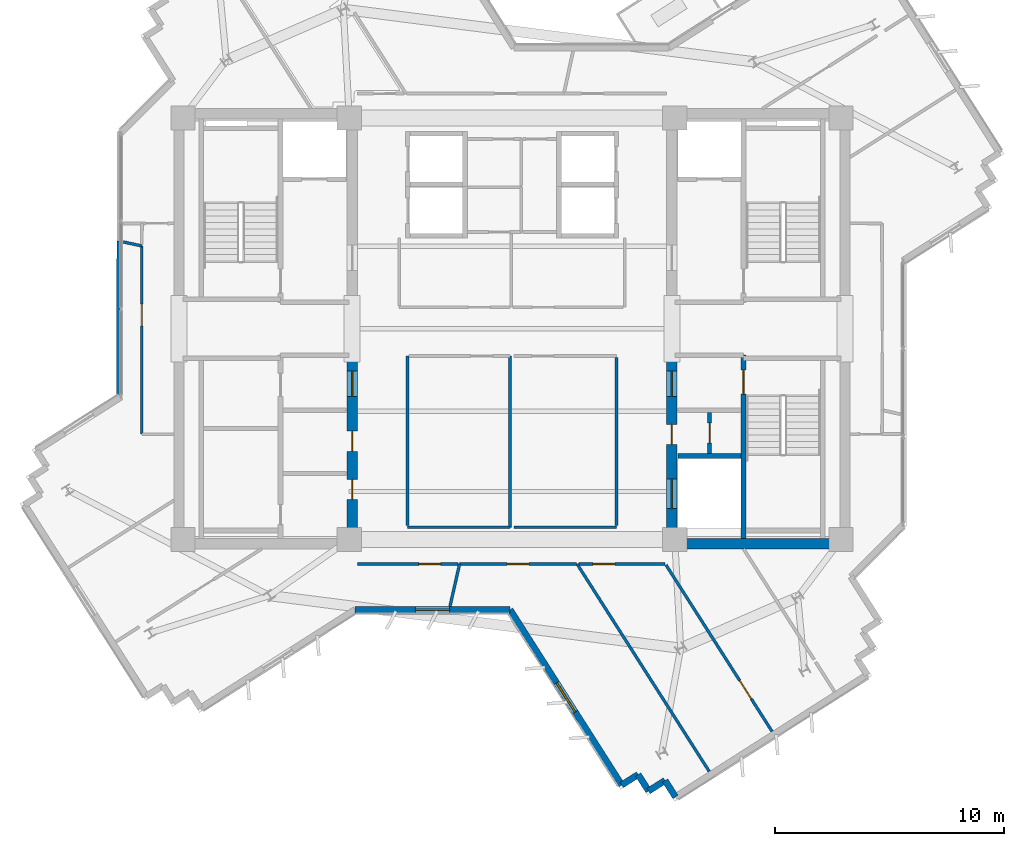
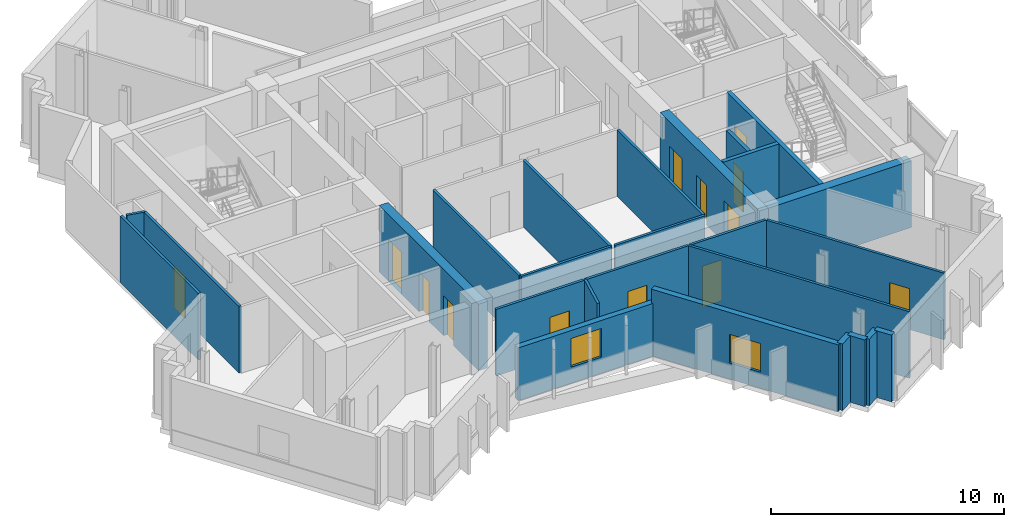
# One storey, part 5 of 12: 26 walls, 13 doors, 2 windows, 15 openings.
"""IFC4 building model written with IfcOpenShell, lengths in metres."""

from ifc_helpers import new_model, si_unit, direction, frame, frame_2d, origin, place, context, subcontext, project, spatial, rectangle, extrude, source, transform, mapped, material, layer, layer_set, type_object, element, fill, save


model = new_model("IFC4")

# Units and contexts
model_context = context("Model", 3, precision=1e-05, world=origin(), true_north=direction((0.0, 1.0)))
body_context = subcontext(model_context, "Body", "Model", "MODEL_VIEW")
ifc_project = project(units=[si_unit("LENGTHUNIT", "METRE"), si_unit("AREAUNIT", "SQUARE_METRE"), si_unit("VOLUMEUNIT", "CUBIC_METRE"), si_unit("PLANEANGLEUNIT", "RADIAN"), si_unit("MASSUNIT", "GRAM", prefix="KILO")], contexts=[model_context])

# Site, building, storey
site_placement = place(None, origin())
site = spatial("IfcSite", under=ifc_project, at=site_placement, CompositionType="ELEMENT")
building_placement = place(site_placement, origin())
building = spatial("IfcBuilding", under=site, at=building_placement, Name="Zahravan Cultural Tower", CompositionType="ELEMENT")
storey_placement = place(building_placement, frame((0.0, 0.0, 261.60009765625)))
storey = spatial("IfcBuildingStorey", under=building, at=storey_placement, Name="L62", CompositionType="ELEMENT", Elevation=261.60009765625)

# Wall, openings, doors
ifc_material_1 = material(Name="Concrete C50/60", Category="concrete")
ifc_layer_1 = layer(ifc_material_1, 0.449951171875)
ifc_layer_set_1 = layer_set([ifc_layer_1], Name="Concrete C50/60")
wall_type_1 = type_object("IfcWallType", Name="CW-SHEAR-450-C50", PredefinedType="SHEAR", material=ifc_layer_set_1)
wall_1_placement = place(storey_placement, frame((29.02490234375, 17.39990234375, 0.0), z_axis=(0.0, 0.0, 1.0), x_axis=(0.0, 1.0, 0.0)))
wall_1 = element("IfcWall", 1, at=wall_1_placement, inside=storey, type_object=wall_type_1, Name="L62 Core Shear Wall CW-W-ES-L62", PredefinedType="SHEAR", context=body_context, shape_type="SweptSolid", body=[
    extrude(rectangle(XDim=8.550048828125, YDim=0.449951171875, at=frame_2d((4.27490234375, 0.0))), origin(), (0.0, 0.0, 1.0), 3.5),
])
opening_1_placement = place(wall_1_placement, frame((6.64990234375, 0.0, 0.0)))
opening_1 = element("IfcOpeningElement", 2, at=opening_1_placement, cuts=wall_1, Name="Opening D-L62-08", PredefinedType="OPENING", context=body_context, shape_type="SweptSolid", body=[
    extrude(rectangle(XDim=1.10009765625, YDim=2.199951171875, at=frame_2d((0.550048828125, 1.10009765625))), frame((0.0, 0.23486328125, 0.0), z_axis=(0.0, -1.0, 0.0), x_axis=(1.0, 0.0, 0.0)), (0.0, 0.0, 1.0), 0.469970703125),
])
opening_2_placement = place(wall_1_placement, frame((2.14990234375, 0.0, 0.0)))
opening_2 = element("IfcOpeningElement", 3, at=opening_2_placement, cuts=wall_1, Name="Opening D-L62-10", PredefinedType="OPENING", context=body_context, shape_type="SweptSolid", body=[
    extrude(rectangle(XDim=0.8798828125, YDim=2.10009765625, at=frame_2d((0.43994140625, 1.050048828125))), frame((0.0, 0.23486328125, 0.0), z_axis=(0.0, -1.0, 0.0), x_axis=(1.0, 0.0, 0.0)), (0.0, 0.0, 1.0), 0.469970703125),
])
opening_3_placement = place(wall_1_placement, frame((4.25, 0.0, 0.0)))
opening_3 = element("IfcOpeningElement", 4, at=opening_3_placement, cuts=wall_1, Name="Opening D-L62-11", PredefinedType="OPENING", context=body_context, shape_type="SweptSolid", body=[
    extrude(rectangle(XDim=0.8798828125, YDim=2.10009765625, at=frame_2d((0.43994140625, 1.050048828125))), frame((0.0, 0.23486328125, 0.0), z_axis=(0.0, -1.0, 0.0), x_axis=(1.0, 0.0, 0.0)), (0.0, 0.0, 1.0), 0.469970703125),
])
ifc_material_2 = material(Name="Steel ASTM A572 Grade 50", Category="steel")
door_type_1 = type_object("IfcDoorType", Name="DR-LOBBY-1100", OperationType="NOTDEFINED", PredefinedType="DOOR", material=ifc_material_2)
shared_shape_1 = source(origin(), body_context, "Body", "SweptSolid", [
    extrude(rectangle(XDim=1.10009765625, YDim=2.199951171875, at=frame_2d((0.550048828125, 1.10009765625))), frame((0.0, 0.02490234375, 0.0), z_axis=(0.0, -1.0, 0.0), x_axis=(1.0, 0.0, 0.0)), (0.0, 0.0, 1.0), 0.050048828125),
])
door_1_placement = place(opening_1_placement, origin())
door_1 = element("IfcDoor", 5, at=door_1_placement, inside=storey, type_object=door_type_1, Name="L62 Door D-L62-08", OperationType="SINGLE_SWING_RIGHT", OverallHeight=2.199951171875, OverallWidth=1.10009765625, PredefinedType="DOOR", context=body_context, shape_type="MappedRepresentation", body=[
    mapped(shared_shape_1, transform((0.0, 0.0, 0.0), x_axis=(1.0, 0.0, 0.0), y_axis=(0.0, 1.0, 0.0), z_axis=(0.0, 0.0, 1.0), scale=1.0)),
])
fill(opening_1, door_1)
door_type_2 = type_object("IfcDoorType", Name="DR-SVC-880", OperationType="NOTDEFINED", PredefinedType="DOOR", material=ifc_material_2)
shared_shape_2 = source(origin(), body_context, "Body", "SweptSolid", [
    extrude(rectangle(XDim=0.8798828125, YDim=2.10009765625, at=frame_2d((0.43994140625, 1.050048828125))), frame((0.0, 0.02490234375, 0.0), z_axis=(0.0, -1.0, 0.0), x_axis=(1.0, 0.0, 0.0)), (0.0, 0.0, 1.0), 0.050048828125),
])
door_2_placement = place(opening_2_placement, origin())
door_2 = element("IfcDoor", 6, at=door_2_placement, inside=storey, type_object=door_type_2, Name="L62 Door D-L62-10", OperationType="SINGLE_SWING_RIGHT", OverallHeight=2.10009765625, OverallWidth=0.8798828125, PredefinedType="DOOR", context=body_context, shape_type="MappedRepresentation", body=[
    mapped(shared_shape_2, transform((0.0, 0.0, 0.0), x_axis=(1.0, 0.0, 0.0), y_axis=(0.0, 1.0, 0.0), z_axis=(0.0, 0.0, 1.0), scale=1.0)),
])
fill(opening_2, door_2)
door_3_placement = place(opening_3_placement, origin())
door_3 = element("IfcDoor", 7, at=door_3_placement, inside=storey, type_object=door_type_2, Name="L62 Door D-L62-11", OperationType="SINGLE_SWING_LEFT", OverallHeight=2.10009765625, OverallWidth=0.8798828125, PredefinedType="DOOR", context=body_context, shape_type="MappedRepresentation", body=[
    mapped(shared_shape_2, transform((0.0, 0.0, 0.0), x_axis=(1.0, 0.0, 0.0), y_axis=(0.0, 1.0, 0.0), z_axis=(0.0, 0.0, 1.0), scale=1.0)),
])
fill(opening_3, door_3)

wall_2_placement = place(storey_placement, frame((42.97509765625, 17.39990234375, 0.0), z_axis=(0.0, 0.0, 1.0), x_axis=(0.0, 1.0, 0.0)))
wall_2 = element("IfcWall", 8, at=wall_2_placement, inside=storey, type_object=wall_type_1, Name="L62 Core Shear Wall CW-E-WS-L62", PredefinedType="SHEAR", context=body_context, shape_type="SweptSolid", body=[
    extrude(rectangle(XDim=8.550048828125, YDim=0.449951171875, at=frame_2d((4.27490234375, 0.0))), origin(), (0.0, 0.0, 1.0), 3.5),
])
opening_4_placement = place(wall_2_placement, frame((6.64990234375, 0.0, 0.0)))
opening_4 = element("IfcOpeningElement", 9, at=opening_4_placement, cuts=wall_2, Name="Opening D-L62-09", PredefinedType="OPENING", context=body_context, shape_type="SweptSolid", body=[
    extrude(rectangle(XDim=1.10009765625, YDim=2.199951171875, at=frame_2d((0.550048828125, 1.10009765625))), frame((0.0, 0.23486328125, 0.0), z_axis=(0.0, -1.0, 0.0), x_axis=(1.0, 0.0, 0.0)), (0.0, 0.0, 1.0), 0.469970703125),
])
opening_5_placement = place(wall_2_placement, frame((1.75, 0.0, 0.0)))
opening_5 = element("IfcOpeningElement", 10, at=opening_5_placement, cuts=wall_2, Name="Opening LD-L62-03", PredefinedType="OPENING", context=body_context, shape_type="SweptSolid", body=[
    extrude(rectangle(XDim=1.300048828125, YDim=2.199951171875, at=frame_2d((0.64990234375, 1.10009765625))), frame((0.0, 0.23486328125, 0.0), z_axis=(0.0, -1.0, 0.0), x_axis=(1.0, 0.0, 0.0)), (0.0, 0.0, 1.0), 0.469970703125),
])
opening_6_placement = place(wall_2_placement, frame((4.550048828125, 0.0, 0.0)))
opening_6 = element("IfcOpeningElement", 11, at=opening_6_placement, cuts=wall_2, Name="Opening D-L62-12", PredefinedType="OPENING", context=body_context, shape_type="SweptSolid", body=[
    extrude(rectangle(XDim=0.8798828125, YDim=2.10009765625, at=frame_2d((0.43994140625, 1.050048828125))), frame((0.0, 0.23486328125, 0.0), z_axis=(0.0, -1.0, 0.0), x_axis=(1.0, 0.0, 0.0)), (0.0, 0.0, 1.0), 0.469970703125),
])
door_4_placement = place(opening_4_placement, origin())
door_4 = element("IfcDoor", 12, at=door_4_placement, inside=storey, type_object=door_type_1, Name="L62 Door D-L62-09", OperationType="SINGLE_SWING_LEFT", OverallHeight=2.199951171875, OverallWidth=1.10009765625, PredefinedType="DOOR", context=body_context, shape_type="MappedRepresentation", body=[
    mapped(shared_shape_1, transform((0.0, 0.0, 0.0), x_axis=(1.0, 0.0, 0.0), y_axis=(0.0, 1.0, 0.0), z_axis=(0.0, 0.0, 1.0), scale=1.0)),
])
fill(opening_4, door_4)
door_type_3 = type_object("IfcDoorType", Name="DR-LIFT-1300", OperationType="DOUBLE_DOOR_SLIDING", PredefinedType="DOOR", material=ifc_material_2)
shared_shape_3 = source(origin(), body_context, "Body", "SweptSolid", [
    extrude(rectangle(XDim=1.300048828125, YDim=2.199951171875, at=frame_2d((0.64990234375, 1.10009765625))), frame((0.0, 0.02490234375, 0.0), z_axis=(0.0, -1.0, 0.0), x_axis=(1.0, 0.0, 0.0)), (0.0, 0.0, 1.0), 0.050048828125),
])
door_5_placement = place(opening_5_placement, origin())
door_5 = element("IfcDoor", 13, at=door_5_placement, inside=storey, type_object=door_type_3, Name="L62 Door LD-L62-03", OperationType="DOUBLE_DOOR_SLIDING", OverallHeight=2.199951171875, OverallWidth=1.300048828125, PredefinedType="DOOR", context=body_context, shape_type="MappedRepresentation", body=[
    mapped(shared_shape_3, transform((0.0, 0.0, 0.0), x_axis=(1.0, 0.0, 0.0), y_axis=(0.0, 1.0, 0.0), z_axis=(0.0, 0.0, 1.0), scale=1.0)),
])
fill(opening_5, door_5)
door_6_placement = place(opening_6_placement, origin())
door_6 = element("IfcDoor", 14, at=door_6_placement, inside=storey, type_object=door_type_2, Name="L62 Door D-L62-12", OperationType="SINGLE_SWING_RIGHT", OverallHeight=2.10009765625, OverallWidth=0.8798828125, PredefinedType="DOOR", context=body_context, shape_type="MappedRepresentation", body=[
    mapped(shared_shape_2, transform((0.0, 0.0, 0.0), x_axis=(1.0, 0.0, 0.0), y_axis=(0.0, 1.0, 0.0), z_axis=(0.0, 0.0, 1.0), scale=1.0)),
])
fill(opening_6, door_6)

# Wall, opening, window
ifc_material_3 = material(Name="Precast concrete C40/50", Category="concrete")
ifc_layer_2 = layer(ifc_material_3, 0.280029296875)
ifc_layer_set_2 = layer_set([ifc_layer_2], Name="Precast concrete C40/50")
wall_type_2 = type_object("IfcWallType", Name="EW-TC-280", PredefinedType="SOLIDWALL", material=ifc_layer_set_2)
wall_3_placement = place(storey_placement, frame((40.78515625, 7.093505859375, 0.0), z_axis=(0.0, 0.0, 1.0), x_axis=(-0.537298831286, 0.843391940855, 0.0)))
wall_3 = element("IfcWall", 15, at=wall_3_placement, inside=storey, type_object=wall_type_2, Name="L62 Exterior Masonry Frame Wall 23", PredefinedType="SOLIDWALL", context=body_context, shape_type="SweptSolid", body=[
    extrude(rectangle(XDim=9.06640625, YDim=0.280029296875, at=frame_2d((4.533203125, 0.0))), origin(), (0.0, 0.0, 1.0), 3.5),
])
opening_7_placement = place(wall_3_placement, frame((3.782958984375, 0.0, 0.85009765625)))
opening_7 = element("IfcOpeningElement", 16, at=opening_7_placement, cuts=wall_3, Name="Opening WN-03", PredefinedType="OPENING", context=body_context, shape_type="SweptSolid", body=[
    extrude(rectangle(XDim=1.5, YDim=1.5, at=frame_2d((0.75, 0.75))), frame((0.0, 0.14990234375, 0.0), z_axis=(0.0, -1.0, 0.0), x_axis=(1.0, 0.0, 0.0)), (0.0, 0.0, 1.0), 0.300048828125),
])
ifc_material_4 = material(Name="Low-E solar-control double glazing", Category="glass")
window_type = type_object("IfcWindowType", Name="WN-REC-1500X1500", PartitioningType="SINGLE_PANEL", PredefinedType="WINDOW", material=ifc_material_4)
shared_shape_4 = source(origin(), body_context, "Body", "SweptSolid", [
    extrude(rectangle(XDim=1.5, YDim=1.5, at=frame_2d((0.75, 0.75))), frame((0.0, 0.030029296875, 0.0), z_axis=(0.0, -1.0, 0.0), x_axis=(1.0, 0.0, 0.0)), (0.0, 0.0, 1.0), 0.06005859375),
])
window_1_placement = place(opening_7_placement, origin())
window_1 = element("IfcWindow", 17, at=window_1_placement, inside=storey, type_object=window_type, Name="L62 Recessed Solar Window 03", OverallHeight=1.5, OverallWidth=1.5, PartitioningType="SINGLE_PANEL", PredefinedType="WINDOW", context=body_context, shape_type="MappedRepresentation", body=[
    mapped(shared_shape_4, transform((0.0, 0.0, 0.0), x_axis=(1.0, 0.0, 0.0), y_axis=(0.0, 1.0, 0.0), z_axis=(0.0, 0.0, 1.0), scale=1.0)),
])
fill(opening_7, window_1)

wall_4_placement = place(storey_placement, frame((35.913818359375, 14.739990234375, 0.0), z_axis=(0.0, 0.0, 1.0), x_axis=(-1.0, 0.0, 0.0)))
wall_4 = element("IfcWall", 18, at=wall_4_placement, inside=storey, type_object=wall_type_2, Name="L62 Exterior Masonry Frame Wall 24", PredefinedType="SOLIDWALL", context=body_context, shape_type="SweptSolid", body=[
    extrude(rectangle(XDim=6.762939453125, YDim=0.280029296875, at=frame_2d((3.38134765625, 0.0))), origin(), (0.0, 0.0, 1.0), 2.77197265625),
])
opening_8_placement = place(wall_4_placement, frame((2.631103515625, 0.0, 0.85009765625)))
opening_8 = element("IfcOpeningElement", 19, at=opening_8_placement, cuts=wall_4, Name="Opening WN-03", PredefinedType="OPENING", context=body_context, shape_type="SweptSolid", body=[
    extrude(rectangle(XDim=1.5, YDim=1.5, at=frame_2d((0.75, 0.75))), frame((0.0, 0.14990234375, 0.0), z_axis=(0.0, -1.0, 0.0), x_axis=(1.0, 0.0, 0.0)), (0.0, 0.0, 1.0), 0.300048828125),
])
window_2_placement = place(opening_8_placement, origin())
window_2 = element("IfcWindow", 20, at=window_2_placement, inside=storey, type_object=window_type, Name="L62 Recessed Solar Window 04", OverallHeight=1.5, OverallWidth=1.5, PartitioningType="SINGLE_PANEL", PredefinedType="WINDOW", context=body_context, shape_type="MappedRepresentation", body=[
    mapped(shared_shape_4, transform((0.0, 0.0, 0.0), x_axis=(1.0, 0.0, 0.0), y_axis=(0.0, 1.0, 0.0), z_axis=(0.0, 0.0, 1.0), scale=1.0)),
])
fill(opening_8, window_2)

# Wall, opening, door
ifc_material_5 = material(Name="Gypsum plasterboard partition")
ifc_layer_3 = layer(ifc_material_5, 0.179931640625)
ifc_layer_set_3 = layer_set([ifc_layer_3], Name="Gypsum plasterboard partition")
wall_type_3 = type_object("IfcWallType", Name="W-COMP-180", PredefinedType="PARTITIONING", material=ifc_layer_set_3)
wall_5_placement = place(storey_placement, frame((44.6201171875, 21.550048828125, 0.0), z_axis=(0.0, 0.0, 1.0), x_axis=(0.0, 1.0, 0.0)))
wall_5 = element("IfcWall", 21, at=wall_5_placement, inside=storey, type_object=wall_type_3, Name="L62 Interior Wall 028", PredefinedType="PARTITIONING", context=body_context, shape_type="SweptSolid", body=[
    extrude(rectangle(XDim=1.800048828125, YDim=0.179931640625, at=frame_2d((0.89990234375, 0.0))), origin(), (0.0, 0.0, 1.0), 3.5),
])
opening_9_placement = place(wall_5_placement, frame((0.4599609375, 0.0, 0.0)))
opening_9 = element("IfcOpeningElement", 22, at=opening_9_placement, cuts=wall_5, Name="Opening D-L62-13", PredefinedType="OPENING", context=body_context, shape_type="SweptSolid", body=[
    extrude(rectangle(XDim=0.8798828125, YDim=2.10009765625, at=frame_2d((0.43994140625, 1.050048828125))), frame((0.0, 0.099853515625, 0.0), z_axis=(0.0, -1.0, 0.0), x_axis=(1.0, 0.0, 0.0)), (0.0, 0.0, 1.0), 0.199951171875),
])
door_7_placement = place(opening_9_placement, origin())
door_7 = element("IfcDoor", 23, at=door_7_placement, inside=storey, type_object=door_type_2, Name="L62 Door D-L62-13", OperationType="SINGLE_SWING_LEFT", OverallHeight=2.10009765625, OverallWidth=0.8798828125, PredefinedType="DOOR", context=body_context, shape_type="MappedRepresentation", body=[
    mapped(shared_shape_2, transform((0.0, 0.0, 0.0), x_axis=(1.0, 0.0, 0.0), y_axis=(0.0, 1.0, 0.0), z_axis=(0.0, 0.0, 1.0), scale=1.0)),
])
fill(opening_9, door_7)

ifc_layer_4 = layer(ifc_material_5, 0.125)
ifc_layer_set_4 = layer_set([ifc_layer_4], Name="Gypsum plasterboard partition")
wall_type_4 = type_object("IfcWallType", Name="W-PART-125", PredefinedType="PARTITIONING", material=ifc_layer_set_4)
wall_6_placement = place(storey_placement, frame((47.347412109375, 9.430419921875, 0.0), z_axis=(0.0, 0.0, 1.0), x_axis=(-0.537311775461, 0.843383694383, 0.0)))
wall_6 = element("IfcWall", 24, at=wall_6_placement, inside=storey, type_object=wall_type_4, Name="L62 Interior Wall 061", PredefinedType="PARTITIONING", context=body_context, shape_type="SweptSolid", body=[
    extrude(rectangle(XDim=8.6162109375, YDim=0.125, at=frame_2d((4.30810546875, 0.0))), origin(), (0.0, 0.0, 1.0), 3.5),
])
opening_10_placement = place(wall_6_placement, frame((1.6865234375, 0.0, 0.0)))
opening_10 = element("IfcOpeningElement", 25, at=opening_10_placement, cuts=wall_6, Name="Opening D-L62-33", PredefinedType="OPENING", context=body_context, shape_type="SweptSolid", body=[
    extrude(rectangle(XDim=0.949951171875, YDim=2.14990234375, at=frame_2d((0.47509765625, 1.074951171875))), frame((0.0, 0.072509765625, 0.0), z_axis=(0.0, -1.0, 0.0), x_axis=(1.0, 0.0, 0.0)), (0.0, 0.0, 1.0), 0.14501953125),
])
ifc_material_6 = material(Name="Anodised bronze-aluminium mullion", Category="aluminium")
door_type_4 = type_object("IfcDoorType", Name="DR-ROOM-950", OperationType="NOTDEFINED", PredefinedType="DOOR", material=ifc_material_6)
shared_shape_5 = source(origin(), body_context, "Body", "SweptSolid", [
    extrude(rectangle(XDim=0.949951171875, YDim=2.14990234375, at=frame_2d((0.47509765625, 1.074951171875))), frame((0.0, 0.02490234375, 0.0), z_axis=(0.0, -1.0, 0.0), x_axis=(1.0, 0.0, 0.0)), (0.0, 0.0, 1.0), 0.050048828125),
])
door_8_placement = place(opening_10_placement, origin())
door_8 = element("IfcDoor", 26, at=door_8_placement, inside=storey, type_object=door_type_4, Name="L62 Door D-L62-33", OperationType="SINGLE_SWING_LEFT", OverallHeight=2.14990234375, OverallWidth=0.949951171875, PredefinedType="DOOR", context=body_context, shape_type="MappedRepresentation", body=[
    mapped(shared_shape_5, transform((0.0, 0.0, 0.0), x_axis=(1.0, 0.0, 0.0), y_axis=(0.0, 1.0, 0.0), z_axis=(0.0, 0.0, 1.0), scale=1.0)),
])
fill(opening_10, door_8)

wall_7_placement = place(storey_placement, frame((38.9169921875, 16.739990234375, 0.0), z_axis=(0.0, 0.0, 1.0), x_axis=(1.0, 0.0, 0.0)))
wall_7 = element("IfcWall", 27, at=wall_7_placement, inside=storey, type_object=wall_type_4, Name="L62 Interior Wall 065", PredefinedType="PARTITIONING", context=body_context, shape_type="SweptSolid", body=[
    extrude(rectangle(XDim=3.749755859375, YDim=0.125, at=frame_2d((1.875, 0.0))), origin(), (0.0, 0.0, 1.0), 3.5),
])
opening_11_placement = place(wall_7_placement, frame((0.615966796875, 0.0, 0.0)))
opening_11 = element("IfcOpeningElement", 28, at=opening_11_placement, cuts=wall_7, Name="Opening D-L62-28", PredefinedType="OPENING", context=body_context, shape_type="SweptSolid", body=[
    extrude(rectangle(XDim=0.949951171875, YDim=2.14990234375, at=frame_2d((0.47509765625, 1.074951171875))), frame((0.0, 0.072509765625, 0.0), z_axis=(0.0, -1.0, 0.0), x_axis=(1.0, 0.0, 0.0)), (0.0, 0.0, 1.0), 0.14501953125),
])
door_9_placement = place(opening_11_placement, origin())
door_9 = element("IfcDoor", 29, at=door_9_placement, inside=storey, type_object=door_type_4, Name="L62 Door D-L62-28", OperationType="SINGLE_SWING_RIGHT", OverallHeight=2.14990234375, OverallWidth=0.949951171875, PredefinedType="DOOR", context=body_context, shape_type="MappedRepresentation", body=[
    mapped(shared_shape_5, transform((0.0, 0.0, 0.0), x_axis=(1.0, 0.0, 0.0), y_axis=(0.0, 1.0, 0.0), z_axis=(0.0, 0.0, 1.0), scale=1.0)),
])
fill(opening_11, door_9)

wall_8_placement = place(storey_placement, frame((19.85009765625, 30.61279296875, 0.0), z_axis=(0.0, 0.0, 1.0), x_axis=(0.0, -1.0, 0.0)))
wall_8 = element("IfcWall", 30, at=wall_8_placement, inside=storey, type_object=wall_type_4, Name="L62 Interior Wall 081", PredefinedType="PARTITIONING", context=body_context, shape_type="SweptSolid", body=[
    extrude(rectangle(XDim=8.206787109375, YDim=0.125, at=frame_2d((4.103515625, 0.0))), origin(), (0.0, 0.0, 1.0), 3.5),
])
opening_12_placement = place(wall_8_placement, frame((2.5400390625, 0.0, 0.0)))
opening_12 = element("IfcOpeningElement", 31, at=opening_12_placement, cuts=wall_8, Name="Opening D-L62-25", PredefinedType="OPENING", context=body_context, shape_type="SweptSolid", body=[
    extrude(rectangle(XDim=0.949951171875, YDim=2.14990234375, at=frame_2d((0.47509765625, 1.074951171875))), frame((0.0, 0.072509765625, 0.0), z_axis=(0.0, -1.0, 0.0), x_axis=(1.0, 0.0, 0.0)), (0.0, 0.0, 1.0), 0.14501953125),
])
door_10_placement = place(opening_12_placement, origin())
door_10 = element("IfcDoor", 32, at=door_10_placement, inside=storey, type_object=door_type_4, Name="L62 Door D-L62-25", OperationType="SINGLE_SWING_LEFT", OverallHeight=2.14990234375, OverallWidth=0.949951171875, PredefinedType="DOOR", context=body_context, shape_type="MappedRepresentation", body=[
    mapped(shared_shape_5, transform((0.0, 0.0, 0.0), x_axis=(1.0, 0.0, 0.0), y_axis=(0.0, 1.0, 0.0), z_axis=(0.0, 0.0, 1.0), scale=1.0)),
])
fill(opening_12, door_10)

wall_9_placement = place(storey_placement, frame((33.714111328125, 16.739990234375, 0.0), z_axis=(0.0, 0.0, 1.0), x_axis=(1.0, 0.0, 0.0)))
wall_9 = element("IfcWall", 33, at=wall_9_placement, inside=storey, type_object=wall_type_4, Name="L62 Interior Wall 090", PredefinedType="PARTITIONING", context=body_context, shape_type="SweptSolid", body=[
    extrude(rectangle(XDim=5.09912109375, YDim=0.125, at=frame_2d((2.549560546875, 0.0))), origin(), (0.0, 0.0, 1.0), 3.5),
])
opening_13_placement = place(wall_9_placement, frame((2.07470703125, 0.0, 0.0)))
opening_13 = element("IfcOpeningElement", 34, at=opening_13_placement, cuts=wall_9, Name="Opening D-L62-27", PredefinedType="OPENING", context=body_context, shape_type="SweptSolid", body=[
    extrude(rectangle(XDim=0.949951171875, YDim=2.14990234375, at=frame_2d((0.47509765625, 1.074951171875))), frame((0.0, 0.072509765625, 0.0), z_axis=(0.0, -1.0, 0.0), x_axis=(1.0, 0.0, 0.0)), (0.0, 0.0, 1.0), 0.14501953125),
])
door_11_placement = place(opening_13_placement, origin())
door_11 = element("IfcDoor", 35, at=door_11_placement, inside=storey, type_object=door_type_4, Name="L62 Door D-L62-27", OperationType="SINGLE_SWING_LEFT", OverallHeight=2.14990234375, OverallWidth=0.949951171875, PredefinedType="DOOR", context=body_context, shape_type="MappedRepresentation", body=[
    mapped(shared_shape_5, transform((0.0, 0.0, 0.0), x_axis=(1.0, 0.0, 0.0), y_axis=(0.0, 1.0, 0.0), z_axis=(0.0, 0.0, 1.0), scale=1.0)),
])
fill(opening_13, door_11)

wall_10_placement = place(storey_placement, frame((29.257568359375, 16.740234375, 0.0), z_axis=(0.0, 0.0, 1.0), x_axis=(0.999999998452, -5.5645206e-05, 0.0)))
wall_10 = element("IfcWall", 36, at=wall_10_placement, inside=storey, type_object=wall_type_4, Name="L62 Interior Wall 094", PredefinedType="PARTITIONING", context=body_context, shape_type="SweptSolid", body=[
    extrude(rectangle(XDim=4.387451171875, YDim=0.125, at=frame_2d((2.19384765625, 0.0))), origin(), (0.0, 0.0, 1.0), 3.5),
])
opening_14_placement = place(wall_10_placement, frame((2.68115234375, 0.0, 0.0)))
opening_14 = element("IfcOpeningElement", 37, at=opening_14_placement, cuts=wall_10, Name="Opening D-L62-26", PredefinedType="OPENING", context=body_context, shape_type="SweptSolid", body=[
    extrude(rectangle(XDim=0.949951171875, YDim=2.14990234375, at=frame_2d((0.47509765625, 1.074951171875))), frame((0.0, 0.072509765625, 0.0), z_axis=(0.0, -1.0, 0.0), x_axis=(1.0, 0.0, 0.0)), (0.0, 0.0, 1.0), 0.14501953125),
])
door_12_placement = place(opening_14_placement, origin())
door_12 = element("IfcDoor", 38, at=door_12_placement, inside=storey, type_object=door_type_4, Name="L62 Door D-L62-26", OperationType="SINGLE_SWING_RIGHT", OverallHeight=2.14990234375, OverallWidth=0.949951171875, PredefinedType="DOOR", context=body_context, shape_type="MappedRepresentation", body=[
    mapped(shared_shape_5, transform((0.0, 0.0, 0.0), x_axis=(1.0, 0.0, 0.0), y_axis=(0.0, 1.0, 0.0), z_axis=(0.0, 0.0, 1.0), scale=1.0)),
])
fill(opening_14, door_12)

ifc_material_7 = material(Name="Concrete C45/55", Category="concrete")
ifc_layer_5 = layer(ifc_material_7, 0.199951171875)
ifc_layer_set_5 = layer_set([ifc_layer_5], Name="Concrete C45/55")
wall_type_5 = type_object("IfcWallType", Name="W-SHAFT-200", PredefinedType="SOLIDWALL", material=ifc_layer_set_5)
wall_11_placement = place(storey_placement, frame((46.10009765625, 17.85009765625, 0.0), z_axis=(0.0, 0.0, 1.0), x_axis=(0.0, 1.0, 0.0)))
wall_11 = element("IfcWall", 39, at=wall_11_placement, inside=storey, type_object=wall_type_5, Name="L62 Interior Wall 007", PredefinedType="SOLIDWALL", context=body_context, shape_type="SweptSolid", body=[
    extrude(rectangle(XDim=8.0, YDim=0.199951171875, at=frame_2d((4.0, 0.0))), origin(), (0.0, 0.0, 1.0), 3.5),
])
opening_15_placement = place(wall_11_placement, frame((6.300048828125, 0.0, 0.0)))
opening_15 = element("IfcOpeningElement", 40, at=opening_15_placement, cuts=wall_11, Name="Opening D-L62-03", PredefinedType="OPENING", context=body_context, shape_type="SweptSolid", body=[
    extrude(rectangle(XDim=1.050048828125, YDim=2.14990234375, at=frame_2d((0.52490234375, 1.074951171875))), frame((0.0, 0.10986328125, 0.0), z_axis=(0.0, -1.0, 0.0), x_axis=(1.0, 0.0, 0.0)), (0.0, 0.0, 1.0), 0.219970703125),
])
door_type_5 = type_object("IfcDoorType", Name="DR-STAIR-1050", OperationType="NOTDEFINED", PredefinedType="DOOR", material=ifc_material_2)
shared_shape_6 = source(origin(), body_context, "Body", "SweptSolid", [
    extrude(rectangle(XDim=1.050048828125, YDim=2.14990234375, at=frame_2d((0.52490234375, 1.074951171875))), frame((0.0, 0.02490234375, 0.0), z_axis=(0.0, -1.0, 0.0), x_axis=(1.0, 0.0, 0.0)), (0.0, 0.0, 1.0), 0.050048828125),
])
door_13_placement = place(opening_15_placement, origin())
door_13 = element("IfcDoor", 41, at=door_13_placement, inside=storey, type_object=door_type_5, Name="L62 Door D-L62-03", OperationType="SINGLE_SWING_LEFT", OverallHeight=2.14990234375, OverallWidth=1.050048828125, PredefinedType="DOOR", context=body_context, shape_type="MappedRepresentation", body=[
    mapped(shared_shape_6, transform((0.0, 0.0, 0.0), x_axis=(1.0, 0.0, 0.0), y_axis=(0.0, 1.0, 0.0), z_axis=(0.0, 0.0, 1.0), scale=1.0)),
])
fill(opening_15, door_13)

# Walls
shared_shape_7 = source(origin(), body_context, "Body", "SweptSolid", [
    extrude(rectangle(XDim=7.10009765625, YDim=0.449951171875, at=frame_2d((3.550048828125, 0.0))), origin(), (0.0, 0.0, 1.0), 3.5),
])
wall_12_placement = place(storey_placement, frame((43.199951171875, 17.625, 0.0), z_axis=(0.0, 0.0, 1.0), x_axis=(1.0, 0.0, 0.0)))
element("IfcWall", 42, at=wall_12_placement, inside=storey, type_object=wall_type_1, Name="L62 Core Shear Wall CW-E-S-L62", PredefinedType="SHEAR", context=body_context, shape_type="MappedRepresentation", body=[
    mapped(shared_shape_7, transform((0.0, 0.0, 0.0), x_axis=(1.0, 0.0, 0.0), y_axis=(0.0, 1.0, 0.0), z_axis=(0.0, 0.0, 1.0), scale=1.0)),
])
shared_shape_8 = source(origin(), body_context, "Body", "SweptSolid", [
    extrude(rectangle(XDim=0.85009765625, YDim=0.280029296875, at=frame_2d((0.425048828125, 0.0))), origin(), (0.0, 0.0, 1.0), 3.5),
])
wall_13_placement = place(storey_placement, frame((42.67578125, 7.2900390625, 0.0), z_axis=(0.0, 0.0, 1.0), x_axis=(-0.843531374408, -0.537079901308, 0.0)))
element("IfcWall", 43, at=wall_13_placement, inside=storey, type_object=wall_type_2, Name="L62 Exterior Masonry Frame Wall 20", PredefinedType="SOLIDWALL", context=body_context, shape_type="MappedRepresentation", body=[
    mapped(shared_shape_8, transform((0.0, 0.0, 0.0), x_axis=(1.0, 0.0, 0.0), y_axis=(0.0, 1.0, 0.0), z_axis=(0.0, 0.0, 1.0), scale=1.0)),
])
shared_shape_9 = source(origin(), body_context, "Body", "SweptSolid", [
    extrude(rectangle(XDim=0.849853515625, YDim=0.280029296875, at=frame_2d((0.4248046875, 0.0))), origin(), (0.0, 0.0, 1.0), 3.5),
])
for number, where, z_axis, x_axis, name in (
    (44, (43.13232421875, 6.5732421875, 0.0), (0.0, 0.0, 1.0), (-0.537210044462, 0.843448497615, 0.0), "L62 Exterior Masonry Frame Wall 19"),
    (45, (41.958740234375, 6.83349609375, 0.0), (0.0, 0.0, 1.0), (-0.537414368337, 0.843318324659, 0.0), "L62 Exterior Masonry Frame Wall 21"),
    (46, (41.501953125, 7.55029296875, 0.0), (0.0, 0.0, 1.0), (-0.843318324659, -0.537414368337, 0.0), "L62 Exterior Masonry Frame Wall 22"),
):
    element("IfcWall", number, at=place(storey_placement, frame(where, z_axis=z_axis, x_axis=x_axis)), inside=storey, type_object=wall_type_2, Name=name, PredefinedType="SOLIDWALL", context=body_context, shape_type="MappedRepresentation", body=[
        mapped(shared_shape_9, transform((0.0, 0.0, 0.0), x_axis=(1.0, 0.0, 0.0), y_axis=(0.0, 1.0, 0.0), z_axis=(0.0, 0.0, 1.0), scale=1.0)),
    ])
shared_shape_10 = source(origin(), body_context, "Body", "SweptSolid", [
    extrude(rectangle(XDim=2.75, YDim=0.199951171875, at=frame_2d((1.375, 0.0))), origin(), (0.0, 0.0, 1.0), 3.5),
])
wall_14_placement = place(storey_placement, frame((43.25, 21.449951171875, 0.0), z_axis=(0.0, 0.0, 1.0), x_axis=(1.0, 0.0, 0.0)))
element("IfcWall", 47, at=wall_14_placement, inside=storey, type_object=wall_type_5, Name="L62 Interior Wall 026", PredefinedType="SOLIDWALL", context=body_context, shape_type="MappedRepresentation", body=[
    mapped(shared_shape_10, transform((0.0, 0.0, 0.0), x_axis=(1.0, 0.0, 0.0), y_axis=(0.0, 1.0, 0.0), z_axis=(0.0, 0.0, 1.0), scale=1.0)),
])
shared_shape_11 = source(origin(), body_context, "Body", "SweptSolid", [
    extrude(rectangle(XDim=4.469970703125, YDim=0.125, at=frame_2d((2.23486328125, 0.0))), origin(), (0.0, 0.0, 1.0), 3.5),
])
for number, where, z_axis, x_axis, name in (
    (48, (35.909912109375, 18.340087890625, 0.0), (0.0, 0.0, 1.0), (-1.0, 0.0, 0.0), "L62 Interior Wall 069"),
    (49, (40.56005859375, 18.340087890625, 0.0), (0.0, 0.0, 1.0), (-1.0, 0.0, 0.0), "L62 Interior Wall 073"),
):
    element("IfcWall", number, at=place(storey_placement, frame(where, z_axis=z_axis, x_axis=x_axis)), inside=storey, type_object=wall_type_4, Name=name, PredefinedType="PARTITIONING", context=body_context, shape_type="MappedRepresentation", body=[
        mapped(shared_shape_11, transform((0.0, 0.0, 0.0), x_axis=(1.0, 0.0, 0.0), y_axis=(0.0, 1.0, 0.0), z_axis=(0.0, 0.0, 1.0), scale=1.0)),
    ])
shared_shape_12 = source(origin(), body_context, "Body", "SweptSolid", [
    extrude(rectangle(XDim=10.737548828125, YDim=0.125, at=frame_2d((5.36865234375, 0.0))), origin(), (0.0, 0.0, 1.0), 3.5),
])
wall_15_placement = place(storey_placement, frame((44.606201171875, 7.68408203125, 0.0), z_axis=(0.0, 0.0, 1.0), x_axis=(-0.53730207986, 0.843389871281, 0.0)))
element("IfcWall", 50, at=wall_15_placement, inside=storey, type_object=wall_type_4, Name="L62 Interior Wall 064", PredefinedType="PARTITIONING", context=body_context, shape_type="MappedRepresentation", body=[
    mapped(shared_shape_12, transform((0.0, 0.0, 0.0), x_axis=(1.0, 0.0, 0.0), y_axis=(0.0, 1.0, 0.0), z_axis=(0.0, 0.0, 1.0), scale=1.0)),
])
shared_shape_13 = source(origin(), body_context, "Body", "SweptSolid", [
    extrude(rectangle(XDim=7.402587890625, YDim=0.125, at=frame_2d((3.701171875, 0.0))), origin(), (0.0, 0.0, 1.0), 3.5),
])
wall_16_placement = place(storey_placement, frame((31.43994140625, 18.407470703125, 0.0), z_axis=(0.0, 0.0, 1.0), x_axis=(0.0, 1.0, 0.0)))
element("IfcWall", 51, at=wall_16_placement, inside=storey, type_object=wall_type_4, Name="L62 Interior Wall 070", PredefinedType="PARTITIONING", context=body_context, shape_type="MappedRepresentation", body=[
    mapped(shared_shape_13, transform((0.0, 0.0, 0.0), x_axis=(1.0, 0.0, 0.0), y_axis=(0.0, 1.0, 0.0), z_axis=(0.0, 0.0, 1.0), scale=1.0)),
])
shared_shape_14 = source(origin(), body_context, "Body", "SweptSolid", [
    extrude(rectangle(XDim=7.469970703125, YDim=0.125, at=frame_2d((3.73486328125, 0.0))), origin(), (0.0, 0.0, 1.0), 3.5),
])
wall_17_placement = place(storey_placement, frame((35.909912109375, 25.81005859375, 0.0), z_axis=(0.0, 0.0, 1.0), x_axis=(0.0, -1.0, 0.0)))
element("IfcWall", 52, at=wall_17_placement, inside=storey, type_object=wall_type_4, Name="L62 Interior Wall 072", PredefinedType="PARTITIONING", context=body_context, shape_type="MappedRepresentation", body=[
    mapped(shared_shape_14, transform((0.0, 0.0, 0.0), x_axis=(1.0, 0.0, 0.0), y_axis=(0.0, 1.0, 0.0), z_axis=(0.0, 0.0, 1.0), scale=1.0)),
])
shared_shape_15 = source(origin(), body_context, "Body", "SweptSolid", [
    extrude(rectangle(XDim=7.3349609375, YDim=0.125, at=frame_2d((3.66748046875, 0.0))), origin(), (0.0, 0.0, 1.0), 3.5),
])
wall_18_placement = place(storey_placement, frame((40.56005859375, 25.742431640625, 0.0), z_axis=(0.0, 0.0, 1.0), x_axis=(0.0, -1.0, 0.0)))
element("IfcWall", 53, at=wall_18_placement, inside=storey, type_object=wall_type_4, Name="L62 Interior Wall 075", PredefinedType="PARTITIONING", context=body_context, shape_type="MappedRepresentation", body=[
    mapped(shared_shape_15, transform((0.0, 0.0, 0.0), x_axis=(1.0, 0.0, 0.0), y_axis=(0.0, 1.0, 0.0), z_axis=(0.0, 0.0, 1.0), scale=1.0)),
])
shared_shape_16 = source(origin(), body_context, "Body", "SweptSolid", [
    extrude(rectangle(XDim=6.712646484375, YDim=0.125, at=frame_2d((3.3564453125, 0.0))), origin(), (0.0, 0.0, 1.0), 3.5),
])
wall_19_placement = place(storey_placement, frame((18.81787109375, 24.122314453125, 0.0), z_axis=(0.0, 0.0, 1.0), x_axis=(0.000327332225, 0.999999946427, 0.0)))
element("IfcWall", 54, at=wall_19_placement, inside=storey, type_object=wall_type_4, Name="L62 Interior Wall 083", PredefinedType="PARTITIONING", context=body_context, shape_type="MappedRepresentation", body=[
    mapped(shared_shape_16, transform((0.0, 0.0, 0.0), x_axis=(1.0, 0.0, 0.0), y_axis=(0.0, 1.0, 0.0), z_axis=(0.0, 0.0, 1.0), scale=1.0)),
])
shared_shape_17 = source(origin(), body_context, "Body", "SweptSolid", [
    extrude(rectangle(XDim=0.82373046875, YDim=0.125, at=frame_2d((0.411865234375, 0.0))), origin(), (0.0, 0.0, 1.0), 3.5),
])
wall_20_placement = place(storey_placement, frame((19.044921875, 30.786376953125, 0.0), z_axis=(0.0, 0.0, 1.0), x_axis=(0.977541402347, -0.210743461816, 0.0)))
element("IfcWall", 55, at=wall_20_placement, inside=storey, type_object=wall_type_4, Name="L62 Interior Wall 084", PredefinedType="PARTITIONING", context=body_context, shape_type="MappedRepresentation", body=[
    mapped(shared_shape_17, transform((0.0, 0.0, 0.0), x_axis=(1.0, 0.0, 0.0), y_axis=(0.0, 1.0, 0.0), z_axis=(0.0, 0.0, 1.0), scale=1.0)),
])
shared_shape_18 = source(origin(), body_context, "Body", "SweptSolid", [
    extrude(rectangle(XDim=1.902099609375, YDim=0.125, at=frame_2d((0.951171875, 0.0))), origin(), (0.0, 0.0, 1.0), 3.5),
])
wall_21_placement = place(storey_placement, frame((33.293701171875, 14.885009765625, 0.0), z_axis=(0.0, 0.0, 1.0), x_axis=(0.221032985594, 0.975266332485, 0.0)))
element("IfcWall", 56, at=wall_21_placement, inside=storey, type_object=wall_type_4, Name="L62 Interior Wall 091", PredefinedType="PARTITIONING", context=body_context, shape_type="MappedRepresentation", body=[
    mapped(shared_shape_18, transform((0.0, 0.0, 0.0), x_axis=(1.0, 0.0, 0.0), y_axis=(0.0, 1.0, 0.0), z_axis=(0.0, 0.0, 1.0), scale=1.0)),
])

save(model, "model.ifc")
